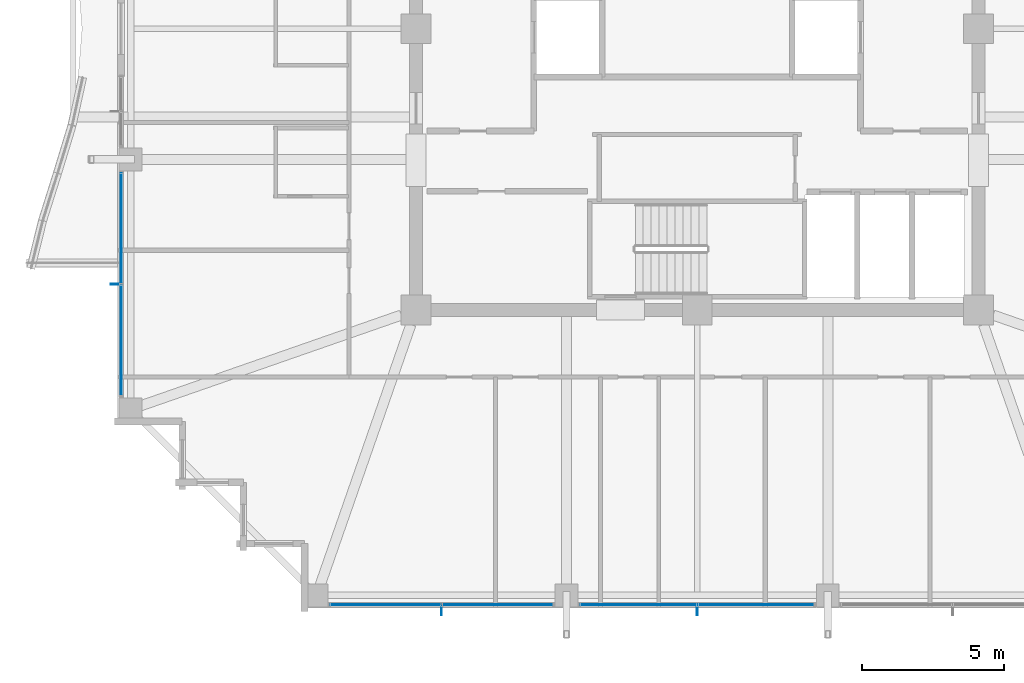
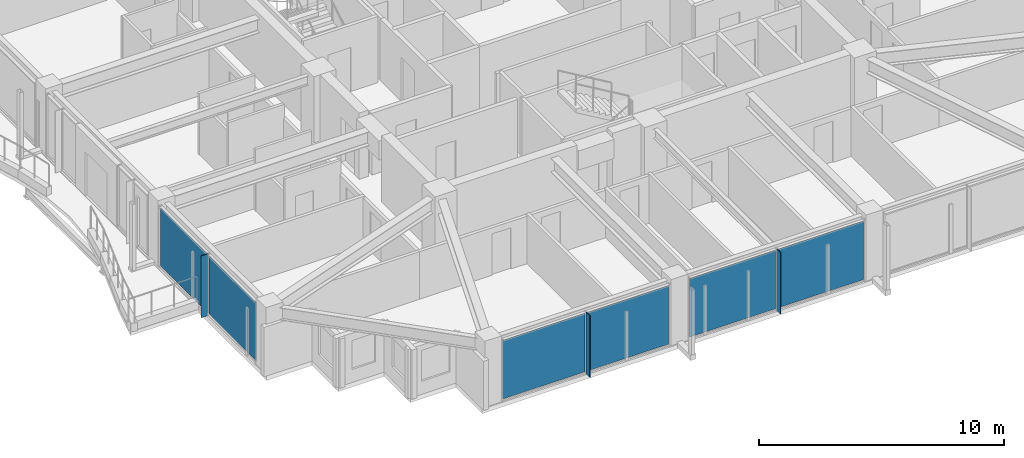
# One storey, part 22 of 35: 9 plates, 3 elements without a shape of their own.
"""IFC4 building model written with IfcOpenShell, lengths in metres."""

from ifc_helpers import new_model, si_unit, direction, frame, origin, origin_2d, place, context, subcontext, project, spatial, rectangle, extrude, material, layer, layer_set, type_object, element, aggregate, save


model = new_model("IFC4")

# Units and contexts
model_context = context("Model", 3, precision=1e-05, world=origin(), true_north=direction((0.0, 1.0)))
body_context = subcontext(model_context, "Body", "Model", "MODEL_VIEW")
ifc_project = project(units=[si_unit("LENGTHUNIT", "METRE"), si_unit("AREAUNIT", "SQUARE_METRE"), si_unit("VOLUMEUNIT", "CUBIC_METRE"), si_unit("PLANEANGLEUNIT", "RADIAN"), si_unit("MASSUNIT", "GRAM", prefix="KILO")], contexts=[model_context])

# Site, building, storey
site_placement = place(None, origin())
site = spatial("IfcSite", under=ifc_project, at=site_placement, CompositionType="ELEMENT")
building_placement = place(site_placement, origin())
building = spatial("IfcBuilding", under=site, at=building_placement, Name="Kolvaren Belvedere", CompositionType="ELEMENT")
storey_placement = place(building_placement, frame((0.0, 0.0, 216.300048828125)))
storey = spatial("IfcBuildingStorey", under=building, at=storey_placement, Name="L63", CompositionType="ELEMENT", Elevation=216.300048828125)

# Curtain wall, plates
ifc_material_1 = material(Name="Anodised pale-metal aluminium AA 6063-T6", Category="aluminium")
curtain_wall_type = type_object("IfcCurtainWallType", Name="CW-Z5-HIGH", PredefinedType="NOTDEFINED", material=ifc_material_1)
curtain_wall_1_placement = place(storey_placement, origin())
curtain_wall_1 = element("IfcCurtainWall", 1, at=curtain_wall_1_placement, inside=storey, type_object=curtain_wall_type, Name="L63 Unitised Curtain Wall FCW-L63-S-B2", PredefinedType="NOTDEFINED")
ifc_material_2 = material(Name="Low-iron triple insulated glass", Category="glass")
ifc_layer_1 = layer(ifc_material_2, 0.028076171875)
ifc_layer_set_1 = layer_set([ifc_layer_1], Name="Low-iron triple insulated glass")
plate_type_1 = type_object("IfcPlateType", Name="CW-PNL-VIS28", PredefinedType="CURTAIN_PANEL", material=ifc_layer_set_1)
plate_1_placement = place(storey_placement, frame((2.072509765625, -20.280029296875, 0.080078125), z_axis=(0.0, 0.0, 1.0), x_axis=(-1.0, 0.0, 0.0)))
plate_1 = element("IfcPlate", 2, at=plate_1_placement, type_object=plate_type_1, Name="FCW-L63-S-B2 Vision Glazing Panel 1", PredefinedType="CURTAIN_PANEL", context=body_context, shape_type="SweptSolid", body=[
    extrude(rectangle(XDim=4.06494140625, YDim=0.028076171875, at=origin_2d()), origin(), (0.0, 0.0, 1.0), 2.919921875),
])
plate_2_placement = place(storey_placement, frame((-2.072509765625, -20.280029296875, 0.080078125), z_axis=(0.0, 0.0, 1.0), x_axis=(-1.0, 0.0, 0.0)))
plate_2 = element("IfcPlate", 3, at=plate_2_placement, type_object=plate_type_1, Name="FCW-L63-S-B2 Vision Glazing Panel 2", PredefinedType="CURTAIN_PANEL", context=body_context, shape_type="SweptSolid", body=[
    extrude(rectangle(XDim=4.06494140625, YDim=0.028076171875, at=origin_2d()), origin(), (0.0, 0.0, 1.0), 2.919921875),
])
aggregate(curtain_wall_1, [plate_1, plate_2])

curtain_wall_2_placement = place(storey_placement, origin())
curtain_wall_2 = element("IfcCurtainWall", 4, at=curtain_wall_2_placement, inside=storey, type_object=curtain_wall_type, Name="L63 Unitised Curtain Wall FCW-L63-S-B3", PredefinedType="NOTDEFINED")
plate_3_placement = place(storey_placement, frame((-7.027587890625, -20.280029296875, 0.080078125), z_axis=(0.0, 0.0, 1.0), x_axis=(-1.0, 0.0, 0.0)))
plate_3 = element("IfcPlate", 5, at=plate_3_placement, type_object=plate_type_1, Name="FCW-L63-S-B3 Vision Glazing Panel 1", PredefinedType="CURTAIN_PANEL", context=body_context, shape_type="SweptSolid", body=[
    extrude(rectangle(XDim=3.864990234375, YDim=0.028076171875, at=origin_2d()), origin(), (0.0, 0.0, 1.0), 2.919921875),
])
plate_4_placement = place(storey_placement, frame((-10.972412109375, -20.280029296875, 0.080078125), z_axis=(0.0, 0.0, 1.0), x_axis=(-1.0, 0.0, 0.0)))
plate_4 = element("IfcPlate", 6, at=plate_4_placement, type_object=plate_type_1, Name="FCW-L63-S-B3 Vision Glazing Panel 2", PredefinedType="CURTAIN_PANEL", context=body_context, shape_type="SweptSolid", body=[
    extrude(rectangle(XDim=3.864990234375, YDim=0.028076171875, at=origin_2d()), origin(), (0.0, 0.0, 1.0), 2.919921875),
])
aggregate(curtain_wall_2, [plate_3, plate_4])

curtain_wall_3_placement = place(storey_placement, origin())
curtain_wall_3 = element("IfcCurtainWall", 7, at=curtain_wall_3_placement, inside=storey, type_object=curtain_wall_type, Name="L63 Unitised Curtain Wall FCW-L63-W1-B1", PredefinedType="NOTDEFINED")
plate_5_placement = place(storey_placement, frame((-20.280029296875, -10.972412109375, 0.080078125), z_axis=(0.0, 0.0, 1.0), x_axis=(0.0, 1.0, 0.0)))
plate_5 = element("IfcPlate", 8, at=plate_5_placement, type_object=plate_type_1, Name="FCW-L63-W1-B1 Vision Glazing Panel 1", PredefinedType="CURTAIN_PANEL", context=body_context, shape_type="SweptSolid", body=[
    extrude(rectangle(XDim=3.864990234375, YDim=0.028076171875, at=origin_2d()), origin(), (0.0, 0.0, 1.0), 2.919921875),
])
plate_6_placement = place(storey_placement, frame((-20.280029296875, -7.027587890625, 0.080078125), z_axis=(0.0, 0.0, 1.0), x_axis=(0.0, 1.0, 0.0)))
plate_6 = element("IfcPlate", 9, at=plate_6_placement, type_object=plate_type_1, Name="FCW-L63-W1-B1 Vision Glazing Panel 2", PredefinedType="CURTAIN_PANEL", context=body_context, shape_type="SweptSolid", body=[
    extrude(rectangle(XDim=3.864990234375, YDim=0.028076171875, at=origin_2d()), origin(), (0.0, 0.0, 1.0), 2.919921875),
])
aggregate(curtain_wall_3, [plate_5, plate_6])

# Plates
ifc_material_3 = material(Name="Anodised pale-metal aluminium AA 6063-T6", Category="aluminium")
ifc_layer_2 = layer(ifc_material_3, 0.030029296875)
ifc_layer_set_2 = layer_set([ifc_layer_2], Name="Anodised pale-metal aluminium AA 6063-T6")
plate_type_2 = type_object("IfcPlateType", Name="FIN-VERT-300", PredefinedType="USERDEFINED", material=ifc_layer_set_2)
for number, where, z_axis, x_axis, name in (
    (10, (0.0, -20.489990234375, 0.0), (0.0, 0.0, 1.0), (0.0, 1.0, 0.0), "L63 Pale-Metal Vertical Shading Fin FCW-L63-S-B2-1"),
    (11, (-9.0, -20.489990234375, 0.0), (0.0, 0.0, 1.0), (0.0, 1.0, 0.0), "L63 Pale-Metal Vertical Shading Fin FCW-L63-S-B3-1"),
    (12, (-20.489990234375, -9.0, 0.0), (0.0, 0.0, 1.0), (1.0, 0.0, 0.0), "L63 Pale-Metal Vertical Shading Fin FCW-L63-W1-B1-1"),
):
    element("IfcPlate", number, at=place(storey_placement, frame(where, z_axis=z_axis, x_axis=x_axis)), inside=storey, type_object=plate_type_2, Name=name, ObjectType="VERTICAL FIN", PredefinedType="USERDEFINED", context=body_context, shape_type="SweptSolid", body=[
        extrude(rectangle(XDim=0.300048828125, YDim=0.030029296875, at=origin_2d()), origin(), (0.0, 0.0, 1.0), 3.080078125),
    ])

save(model, "model.ifc")
